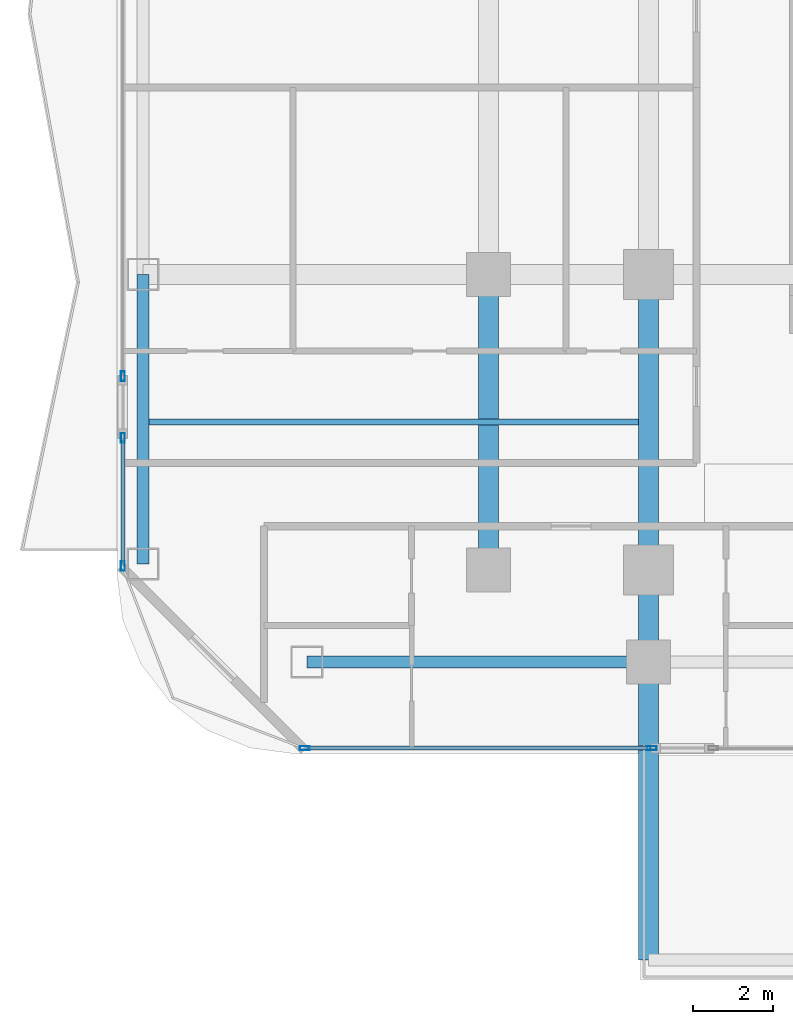
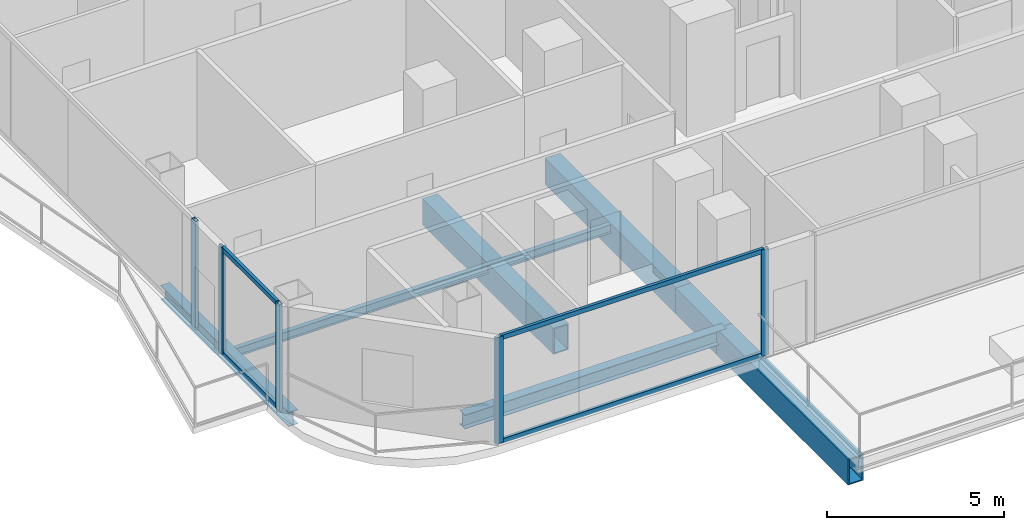
# One storey, part 2 of 29: 9 members, 7 beams, 3 elements without a shape of their own.
"""IFC4 building model written with IfcOpenShell, lengths in metres."""

from ifc_helpers import new_model, si_unit, direction, frame, origin, origin_2d, place, context, subcontext, project, spatial, hollow_rectangle, i_section, extrude, material, layer, layer_set, material_profile, profile_set, type_object, element, aggregate, save


model = new_model("IFC4")

# Units and contexts
model_context = context("Model", 3, precision=1e-05, world=origin(), true_north=direction((0.0, 1.0)))
body_context = subcontext(model_context, "Body", "Model", "MODEL_VIEW")
ifc_project = project(units=[si_unit("LENGTHUNIT", "METRE"), si_unit("AREAUNIT", "SQUARE_METRE"), si_unit("VOLUMEUNIT", "CUBIC_METRE"), si_unit("PLANEANGLEUNIT", "RADIAN"), si_unit("MASSUNIT", "GRAM", prefix="KILO")], contexts=[model_context])

# Site, building, storey
site_placement = place(None, origin())
site = spatial("IfcSite", under=ifc_project, at=site_placement, CompositionType="ELEMENT")
building_placement = place(site_placement, origin())
building = spatial("IfcBuilding", under=site, at=building_placement, Name="Khorvyn Point Tower", CompositionType="ELEMENT")
storey_placement = place(building_placement, frame((0.0, 0.0, 85.199951171875)))
storey = spatial("IfcBuildingStorey", under=building, at=storey_placement, Name="L21", CompositionType="ELEMENT", Elevation=85.199951171875)

# Curtain wall, members
ifc_material_1 = material(Name="Anodised aluminium 6063-T6 and laminated Low-E glass", Category="aluminium")
ifc_layer = layer(ifc_material_1, 0.18994140625)
ifc_layer_set = layer_set([ifc_layer], Name="Stick-Built Finned Residential Curtain Wall CW-SYS-02")
curtain_wall_type = type_object("IfcCurtainWallType", Name="Stick-Built Finned Residential Curtain Wall CW-SYS-02", PredefinedType="NOTDEFINED", material=ifc_layer_set)
curtain_wall_1_placement = place(storey_placement, origin())
curtain_wall_1 = element("IfcCurtainWall", 1, at=curtain_wall_1_placement, inside=storey, type_object=curtain_wall_type, Name="Curtain Wall", PredefinedType="NOTDEFINED")
ifc_material_2 = material(Name="Anodised aluminium 6063-T6", Category="aluminium")
ifc_material_profile_1 = material_profile(ifc_material_2, hollow_rectangle(XDim=0.10009765625, YDim=0.239990234375, WallThickness=0.0048828125, at=origin_2d()))
ifc_profile_set_1 = profile_set([ifc_material_profile_1], Name="Anodised aluminium 6063-T6 ALU-MUL-100x240")
member_type_1 = type_object("IfcMemberType", Name="Anodised Aluminium 6063-T6 Mullion ALU-MUL-100x240", PredefinedType="MULLION", material=ifc_profile_set_1)
member_1_placement = place(storey_placement, frame((-14.719970703125, -19.25, 0.0), z_axis=(0.0, 0.0, 1.0), x_axis=(0.0, -1.0, 0.0)))
member_1 = element("IfcMember", 2, at=member_1_placement, type_object=member_type_1, Name="Transom", PredefinedType="MULLION", context=body_context, shape_type="SweptSolid", body=[
    extrude(hollow_rectangle(XDim=0.10009765625, YDim=0.239990234375, WallThickness=0.0048828125, at=origin_2d()), origin(), (0.0, 0.0, 1.0), 3.679931640625),
])
member_2_placement = place(storey_placement, frame((-23.39990234375, -19.25, 0.0), z_axis=(0.0, 0.0, 1.0), x_axis=(0.0, -1.0, 0.0)))
member_2 = element("IfcMember", 3, at=member_2_placement, type_object=member_type_1, Name="Transom", PredefinedType="MULLION", context=body_context, shape_type="SweptSolid", body=[
    extrude(hollow_rectangle(XDim=0.10009765625, YDim=0.239990234375, WallThickness=0.0048828125, at=origin_2d()), origin(), (0.0, 0.0, 1.0), 3.679931640625),
])

curtain_wall_2_placement = place(storey_placement, origin())
curtain_wall_2 = element("IfcCurtainWall", 4, at=curtain_wall_2_placement, inside=storey, type_object=curtain_wall_type, Name="Curtain Wall", PredefinedType="NOTDEFINED")
member_3_placement = place(storey_placement, frame((-27.949951171875, -14.699951171875, 0.0), z_axis=(0.0, 0.0, 1.0), x_axis=(-1.0, 0.0, 0.0)))
member_3 = element("IfcMember", 5, at=member_3_placement, type_object=member_type_1, Name="Transom", PredefinedType="MULLION", context=body_context, shape_type="SweptSolid", body=[
    extrude(hollow_rectangle(XDim=0.10009765625, YDim=0.239990234375, WallThickness=0.0048828125, at=origin_2d()), origin(), (0.0, 0.0, 1.0), 3.679931640625),
])
member_4_placement = place(storey_placement, frame((-27.949951171875, -11.489990234375, 0.0), z_axis=(0.0, 0.0, 1.0), x_axis=(-1.0, 0.0, 0.0)))
member_4 = element("IfcMember", 6, at=member_4_placement, type_object=member_type_1, Name="Transom", PredefinedType="MULLION", context=body_context, shape_type="SweptSolid", body=[
    extrude(hollow_rectangle(XDim=0.10009765625, YDim=0.239990234375, WallThickness=0.0048828125, at=origin_2d()), origin(), (0.0, 0.0, 1.0), 3.679931640625),
])

# Curtain wall, member
curtain_wall_3_placement = place(storey_placement, origin())
curtain_wall_3 = element("IfcCurtainWall", 7, at=curtain_wall_3_placement, inside=storey, type_object=curtain_wall_type, Name="Curtain Wall", PredefinedType="NOTDEFINED")
member_5_placement = place(storey_placement, frame((-27.949951171875, -9.949951171875, 0.0), z_axis=(0.0, 0.0, 1.0), x_axis=(-1.0, 0.0, 0.0)))
member_5 = element("IfcMember", 8, at=member_5_placement, type_object=member_type_1, Name="Transom", PredefinedType="MULLION", context=body_context, shape_type="SweptSolid", body=[
    extrude(hollow_rectangle(XDim=0.10009765625, YDim=0.239990234375, WallThickness=0.0048828125, at=origin_2d()), origin(), (0.0, 0.0, 1.0), 3.679931640625),
])
aggregate(curtain_wall_3, [member_5])

# Member
ifc_material_profile_2 = material_profile(ifc_material_2, hollow_rectangle(XDim=0.10009765625, YDim=0.159912109375, WallThickness=0.00439453125, at=origin_2d()))
ifc_profile_set_2 = profile_set([ifc_material_profile_2], Name="Anodised aluminium 6063-T6 ALU-TRN-100x160")
member_type_2 = type_object("IfcMemberType", Name="Anodised Aluminium 6063-T6 Transom ALU-TRN-100x160", PredefinedType="USERDEFINED", material=ifc_profile_set_2)
member_6_placement = place(storey_placement, frame((-14.77001953125, -19.25, 0.050048828125), z_axis=(-1.0, 0.0, 0.0), x_axis=(0.0, -1.0, 0.0)))
member_6 = element("IfcMember", 9, at=member_6_placement, type_object=member_type_2, Name="Transom", ObjectType="TRANSOM", PredefinedType="USERDEFINED", context=body_context, shape_type="SweptSolid", body=[
    extrude(hollow_rectangle(XDim=0.10009765625, YDim=0.159912109375, WallThickness=0.00439453125, at=origin_2d()), origin(), (0.0, 0.0, 1.0), 8.580078125),
])

member_7_placement = place(storey_placement, frame((-14.77001953125, -19.25, 3.630126953125), z_axis=(-1.0, 0.0, 0.0), x_axis=(0.0, -1.0, 0.0)))
member_7 = element("IfcMember", 10, at=member_7_placement, type_object=member_type_2, Name="Transom", ObjectType="TRANSOM", PredefinedType="USERDEFINED", context=body_context, shape_type="SweptSolid", body=[
    extrude(hollow_rectangle(XDim=0.10009765625, YDim=0.159912109375, WallThickness=0.00439453125, at=origin_2d()), origin(), (0.0, 0.0, 1.0), 8.580078125),
])

aggregate(curtain_wall_1, [member_1, member_2, member_6, member_7])

member_8_placement = place(storey_placement, frame((-27.949951171875, -14.64990234375, 0.050048828125), z_axis=(0.0, 1.0, 0.0), x_axis=(-1.0, 0.0, 0.0)))
member_8 = element("IfcMember", 11, at=member_8_placement, type_object=member_type_2, Name="Transom", ObjectType="TRANSOM", PredefinedType="USERDEFINED", context=body_context, shape_type="SweptSolid", body=[
    extrude(hollow_rectangle(XDim=0.10009765625, YDim=0.159912109375, WallThickness=0.00439453125, at=origin_2d()), origin(), (0.0, 0.0, 1.0), 3.10986328125),
])

member_9_placement = place(storey_placement, frame((-27.949951171875, -14.64990234375, 3.630126953125), z_axis=(0.0, 1.0, 0.0), x_axis=(-1.0, 0.0, 0.0)))
member_9 = element("IfcMember", 12, at=member_9_placement, type_object=member_type_2, Name="Transom", ObjectType="TRANSOM", PredefinedType="USERDEFINED", context=body_context, shape_type="SweptSolid", body=[
    extrude(hollow_rectangle(XDim=0.10009765625, YDim=0.159912109375, WallThickness=0.00439453125, at=origin_2d()), origin(), (0.0, 0.0, 1.0), 3.10986328125),
])

aggregate(curtain_wall_2, [member_3, member_4, member_8, member_9])

# Beams
ifc_material_3 = material(Name="Steel S355", Category="steel")
ifc_material_profile_3 = material_profile(ifc_material_3, i_section(OverallWidth=0.14990234375, OverallDepth=0.300048828125, WebThickness=0.006591796875, FlangeThickness=0.009033203125, at=origin_2d()))
ifc_profile_set_3 = profile_set([ifc_material_profile_3], Name="Steel S355 H300x150x6.5x9")
beam_type_1 = type_object("IfcBeamType", Name="Steel S355 Joist H300x150x6.5x9", PredefinedType="JOIST", material=ifc_profile_set_3)
beam_1_placement = place(storey_placement, frame((-27.300048828125, -11.10009765625, -0.429931640625), z_axis=(1.0, 0.0, 0.0), x_axis=(0.0, 1.0, 0.0)))
element("IfcBeam", 13, at=beam_1_placement, inside=storey, type_object=beam_type_1, Name="Beam", PredefinedType="JOIST", context=body_context, shape_type="SweptSolid", body=[
    extrude(i_section(OverallWidth=0.14990234375, OverallDepth=0.300048828125, WebThickness=0.006591796875, FlangeThickness=0.009033203125, at=origin_2d()), origin(), (0.0, 0.0, 1.0), 12.25),
])
ifc_material_profile_4 = material_profile(ifc_material_3, i_section(OverallWidth=0.300048828125, OverallDepth=0.488037109375, WebThickness=0.010986328125, FlangeThickness=0.01806640625, at=origin_2d()))
ifc_profile_set_4 = profile_set([ifc_material_profile_4], Name="Steel S355 H488x300x11x18")
beam_type_2 = type_object("IfcBeamType", Name="Steel S355 Spandrel H488x300x11x18", PredefinedType="SPANDREL", material=ifc_profile_set_4)
beam_2_placement = place(storey_placement, frame((-23.35009765625, -17.10009765625, -0.52392578125), z_axis=(1.0, 0.0, 0.0), x_axis=(0.0, 1.0, 0.0)))
element("IfcBeam", 14, at=beam_2_placement, inside=storey, type_object=beam_type_2, Name="Beam", PredefinedType="SPANDREL", context=body_context, shape_type="SweptSolid", body=[
    extrude(i_section(OverallWidth=0.300048828125, OverallDepth=0.488037109375, WebThickness=0.010986328125, FlangeThickness=0.01806640625, at=origin_2d()), origin(), (0.0, 0.0, 1.0), 8.550048828125),
])
beam_3_placement = place(storey_placement, frame((-27.449951171875, -14.64990234375, -0.52392578125), z_axis=(0.0, 1.0, 0.0), x_axis=(-1.0, 0.0, 0.0)))
element("IfcBeam", 15, at=beam_3_placement, inside=storey, type_object=beam_type_2, Name="Beam", PredefinedType="SPANDREL", context=body_context, shape_type="SweptSolid", body=[
    extrude(i_section(OverallWidth=0.300048828125, OverallDepth=0.488037109375, WebThickness=0.010986328125, FlangeThickness=0.01806640625, at=origin_2d()), origin(), (0.0, 0.0, 1.0), 7.25),
])
ifc_material_4 = material(Name="Steel S450", Category="steel")
ifc_material_profile_5 = material_profile(ifc_material_4, hollow_rectangle(XDim=0.5, YDim=0.89990234375, WallThickness=0.0400390625, at=origin_2d()))
ifc_profile_set_5 = profile_set([ifc_material_profile_5], Name="Steel S450 BOX900x500x40")
beam_type_3 = type_object("IfcBeamType", Name="Steel S450 Beam BOX900x500x40", PredefinedType="BEAM", material=ifc_profile_set_5)
beam_4_placement = place(storey_placement, frame((-14.800048828125, -24.550048828125, -0.72998046875), z_axis=(0.0, 1.0, 0.0), x_axis=(-1.0, 0.0, 0.0)))
element("IfcBeam", 16, at=beam_4_placement, inside=storey, type_object=beam_type_3, Name="L21 Radial Transfer Girder", PredefinedType="BEAM", context=body_context, shape_type="SweptSolid", body=[
    extrude(hollow_rectangle(XDim=0.5, YDim=0.89990234375, WallThickness=0.0400390625, at=origin_2d()), origin(), (0.0, 0.0, 1.0), 7.449951171875),
])
beam_5_placement = place(storey_placement, frame((-14.800048828125, -17.10009765625, -0.72998046875), z_axis=(0.0, 1.0, 0.0), x_axis=(-1.0, 0.0, 0.0)))
element("IfcBeam", 17, at=beam_5_placement, inside=storey, type_object=beam_type_3, Name="L21 Radial Transfer Girder", PredefinedType="BEAM", context=body_context, shape_type="SweptSolid", body=[
    extrude(hollow_rectangle(XDim=0.5, YDim=0.89990234375, WallThickness=0.0400390625, at=origin_2d()), origin(), (0.0, 0.0, 1.0), 2.300048828125),
])
for number, where, z_axis, x_axis, name in (
    (18, (-14.800048828125, -14.800048828125, -0.72998046875), (0.0, 1.0, 0.0), (-1.0, 0.0, 0.0), "L21 Radial Transfer Girder"),
    (19, (-18.800048828125, -14.800048828125, -0.72998046875), (0.0, 1.0, 0.0), (-1.0, 0.0, 0.0), "Beam"),
):
    element("IfcBeam", number, at=place(storey_placement, frame(where, z_axis=z_axis, x_axis=x_axis)), inside=storey, type_object=beam_type_3, Name=name, PredefinedType="BEAM", context=body_context, shape_type="SweptSolid", body=[
        extrude(hollow_rectangle(XDim=0.5, YDim=0.89990234375, WallThickness=0.0400390625, at=origin_2d()), origin(), (0.0, 0.0, 1.0), 7.400146484375),
    ])

save(model, "model.ifc")
